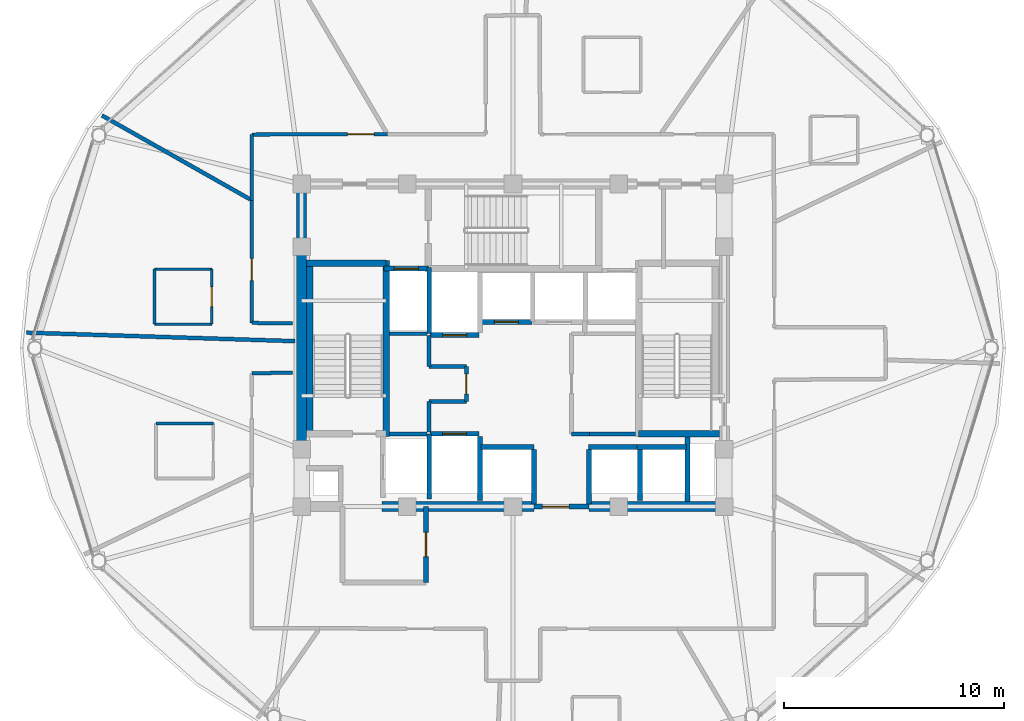
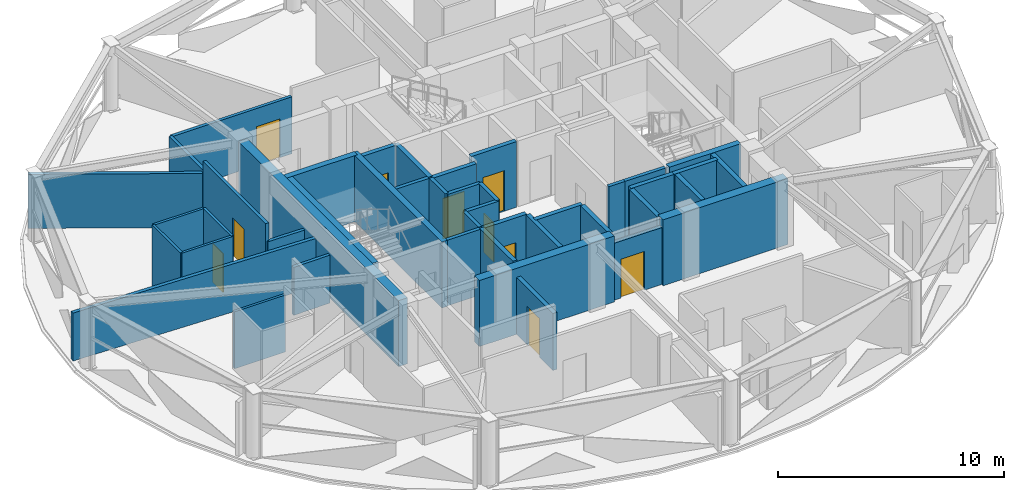
# One storey, part 22 of 28: 44 walls, 10 doors, 10 openings.
"""IFC4 building model written with IfcOpenShell, lengths in metres."""

from ifc_helpers import new_model, si_unit, direction, frame, frame_2d, origin, place, context, subcontext, project, spatial, rectangle, extrude, material, layer, layer_set, type_object, element, fill, save


model = new_model("IFC4")

# Units and contexts
model_context = context("Model", 3, precision=1e-05, world=origin(), true_north=direction((0.0, 1.0)))
body_context = subcontext(model_context, "Body", "Model", "MODEL_VIEW")
ifc_project = project(units=[si_unit("LENGTHUNIT", "METRE"), si_unit("AREAUNIT", "SQUARE_METRE"), si_unit("VOLUMEUNIT", "CUBIC_METRE"), si_unit("PLANEANGLEUNIT", "RADIAN"), si_unit("MASSUNIT", "GRAM", prefix="KILO")], contexts=[model_context])

# Site, building, storey
site_placement = place(None, origin())
site = spatial("IfcSite", under=ifc_project, at=site_placement, CompositionType="ELEMENT")
building_placement = place(site_placement, origin())
building = spatial("IfcBuilding", under=site, at=building_placement, Name="Vantalir Tower", CompositionType="ELEMENT")
storey_placement = place(building_placement, frame((0.0, 0.0, 238.64990234375)))
storey = spatial("IfcBuildingStorey", under=building, at=storey_placement, Name="L60", CompositionType="ELEMENT", Elevation=238.64990234375)

# Walls
ifc_material_1 = material(Name="Moisture-resistant en-suite partition", Category="gypsum")
ifc_layer_1 = layer(ifc_material_1, 0.125)
ifc_layer_set_1 = layer_set([ifc_layer_1], Name="Moisture-resistant en-suite partition")
wall_type_1 = type_object("IfcWallType", Name="WL-BATH-125", PredefinedType="PARTITIONING", material=ifc_layer_set_1)
for number, where, z_axis, x_axis, name in (
    (1, (15.218017578125, 26.0830078125, 0.0), (0.0, 0.0, 1.0), (1.0, 0.0, 0.0), "L60 En-suite 05 South Wall"),
    (2, (15.218017578125, 28.5830078125, 0.0), (0.0, 0.0, 1.0), (1.0, 0.0, 0.0), "L60 En-suite 05 North Wall"),
):
    element("IfcWall", number, at=place(storey_placement, frame(where, z_axis=z_axis, x_axis=x_axis)), inside=storey, type_object=wall_type_1, Name=name, PredefinedType="PARTITIONING", context=body_context, shape_type="SweptSolid", body=[
        extrude(rectangle(XDim=2.60009765625, YDim=0.125, at=frame_2d((1.300048828125, 0.0))), origin(), (0.0, 0.0, 1.0), 3.550048828125),
    ])
wall_1_placement = place(storey_placement, frame((15.218017578125, 26.0830078125, 0.0), z_axis=(0.0, 0.0, 1.0), x_axis=(0.0, 1.0, 0.0)))
element("IfcWall", 3, at=wall_1_placement, inside=storey, type_object=wall_type_1, Name="L60 En-suite 05 West Wall", PredefinedType="PARTITIONING", context=body_context, shape_type="SweptSolid", body=[
    extrude(rectangle(XDim=2.5, YDim=0.125, at=frame_2d((1.25, 0.0))), origin(), (0.0, 0.0, 1.0), 3.550048828125),
])

# Wall, opening, door
wall_2_placement = place(storey_placement, frame((17.818115234375, 26.0830078125, 0.0), z_axis=(0.0, 0.0, 1.0), x_axis=(0.0, 1.0, 0.0)))
wall_2 = element("IfcWall", 4, at=wall_2_placement, inside=storey, type_object=wall_type_1, Name="L60 En-suite 05 East Wall", PredefinedType="PARTITIONING", context=body_context, shape_type="SweptSolid", body=[
    extrude(rectangle(XDim=2.5, YDim=0.125, at=frame_2d((1.25, 0.0))), origin(), (0.0, 0.0, 1.0), 3.550048828125),
])
opening_1_placement = place(wall_2_placement, frame((0.800048828125, 0.0, 0.0)))
opening_1 = element("IfcOpeningElement", 5, at=opening_1_placement, cuts=wall_2, Name="Opening D-WC", PredefinedType="OPENING", context=body_context, shape_type="SweptSolid", body=[
    extrude(rectangle(XDim=0.89990234375, YDim=2.10009765625, at=frame_2d((0.449951171875, 1.050048828125))), frame((0.0, 0.072509765625, 0.0), z_axis=(0.0, -1.0, 0.0), x_axis=(1.0, 0.0, 0.0)), (0.0, 0.0, 1.0), 0.14501953125),
])
ifc_material_2 = material(Name="Moisture-resistant hardwood door", Category="wood")
door_type_1 = type_object("IfcDoorType", Name="DR-ENSUITE-900", OperationType="NOTDEFINED", PredefinedType="DOOR", material=ifc_material_2)
door_1_placement = place(opening_1_placement, origin())
door_1 = element("IfcDoor", 6, at=door_1_placement, inside=storey, type_object=door_type_1, Name="L60 En-suite 05 Door", OperationType="SINGLE_SWING_RIGHT", OverallHeight=2.10009765625, OverallWidth=0.89990234375, PredefinedType="DOOR", context=body_context, shape_type="SweptSolid", body=[
    extrude(rectangle(XDim=0.89990234375, YDim=2.10009765625, at=frame_2d((0.449951171875, 1.050048828125))), frame((0.0, 0.02490234375, 0.0), z_axis=(0.0, -1.0, 0.0), x_axis=(1.0, 0.0, 0.0)), (0.0, 0.0, 1.0), 0.050048828125),
])
fill(opening_1, door_1)

# Walls
wall_3_placement = place(storey_placement, frame((15.2900390625, 21.577880859375, 0.0), z_axis=(0.0, 0.0, 1.0), x_axis=(1.0, 0.0, 0.0)))
element("IfcWall", 7, at=wall_3_placement, inside=storey, type_object=wall_type_1, Name="L60 En-suite 06 North Wall", PredefinedType="PARTITIONING", context=body_context, shape_type="SweptSolid", body=[
    extrude(rectangle(XDim=2.599853515625, YDim=0.125, at=frame_2d((1.2998046875, 0.0))), origin(), (0.0, 0.0, 1.0), 3.0810546875),
])
ifc_material_3 = material(Name="Concrete C50/60", Category="concrete")
ifc_layer_2 = layer(ifc_material_3, 0.449951171875)
ifc_layer_set_2 = layer_set([ifc_layer_2], Name="Concrete C50/60")
wall_type_2 = type_object("IfcWallType", Name="WL-CORE-450", PredefinedType="SHEAR", material=ifc_layer_set_2)
wall_4_placement = place(storey_placement, frame((25.550048828125, 17.800048828125, 0.0), z_axis=(0.0, 0.0, 1.0), x_axis=(1.0, 0.0, 0.0)))
element("IfcWall", 8, at=wall_4_placement, inside=storey, type_object=wall_type_2, Name="L60 Core Shear Wall South-Mid", PredefinedType="SHEAR", context=body_context, shape_type="SweptSolid", body=[
    extrude(rectangle(XDim=6.89990234375, YDim=0.449951171875, at=frame_2d((3.449951171875, 0.0))), origin(), (0.0, 0.0, 1.0), 3.570068359375),
])
wall_5_placement = place(storey_placement, frame((34.949951171875, 17.800048828125, 0.0), z_axis=(0.0, 0.0, 1.0), x_axis=(1.0, 0.0, 0.0)))
element("IfcWall", 9, at=wall_5_placement, inside=storey, type_object=wall_type_2, Name="L60 Core Shear Wall South-East", PredefinedType="SHEAR", context=body_context, shape_type="SweptSolid", body=[
    extrude(rectangle(XDim=6.375, YDim=0.449951171875, at=frame_2d((3.1875, 0.0))), origin(), (0.0, 0.0, 1.0), 3.570068359375),
])
wall_6_placement = place(storey_placement, frame((21.89990234375, 18.02490234375, 0.0), z_axis=(0.0, 0.0, 1.0), x_axis=(0.0, 1.0, 0.0)))
element("IfcWall", 10, at=wall_6_placement, inside=storey, type_object=wall_type_2, Name="L60 Core Shear Wall West", PredefinedType="SHEAR", context=body_context, shape_type="SweptSolid", body=[
    extrude(rectangle(XDim=14.2001953125, YDim=0.449951171875, at=frame_2d((7.10009765625, 0.0))), origin(), (0.0, 0.0, 1.0), 3.570068359375),
])
ifc_material_4 = material(Name="Fire-rated hotel corridor acoustic partition", Category="gypsum")
ifc_layer_3 = layer(ifc_material_4, 0.159912109375)
ifc_layer_set_3 = layer_set([ifc_layer_3], Name="Fire-rated hotel corridor acoustic partition")
wall_type_3 = type_object("IfcWallType", Name="WL-CORR-160", PredefinedType="PARTITIONING", material=ifc_layer_set_3)
wall_7_placement = place(storey_placement, frame((21.4951171875, 26.116943359375, 0.0), z_axis=(0.0, 0.0, 1.0), x_axis=(-0.999908537082, 0.013524698532, 0.0)))
element("IfcWall", 11, at=wall_7_placement, inside=storey, type_object=wall_type_3, Name="L60 Corridor Partition 01", PredefinedType="PARTITIONING", context=body_context, shape_type="SweptSolid", body=[
    extrude(rectangle(XDim=1.859375, YDim=0.159912109375, at=frame_2d((0.9296875, 0.0))), origin(), (0.0, 0.0, 1.0), 2.59521484375),
])

# Wall, opening, door
wall_8_placement = place(storey_placement, frame((19.635986328125, 26.14208984375, 0.0), z_axis=(0.0, 0.0, 1.0), x_axis=(0.000920648448, 0.999999576203, 0.0)))
wall_8 = element("IfcWall", 12, at=wall_8_placement, inside=storey, type_object=wall_type_3, Name="L60 Corridor Partition 02", PredefinedType="PARTITIONING", context=body_context, shape_type="SweptSolid", body=[
    extrude(rectangle(XDim=5.56884765625, YDim=0.159912109375, at=frame_2d((2.784423828125, 0.0))), origin(), (0.0, 0.0, 1.0), 3.550048828125),
])
opening_2_placement = place(wall_8_placement, frame((1.91796875, 0.0, 0.0)))
opening_2 = element("IfcOpeningElement", 13, at=opening_2_placement, cuts=wall_8, Name="Opening D-GUEST", PredefinedType="OPENING", context=body_context, shape_type="SweptSolid", body=[
    extrude(rectangle(XDim=1.0, YDim=2.10009765625, at=frame_2d((0.5, 1.050048828125))), frame((0.0, 0.08984375, 0.0), z_axis=(0.0, -1.0, 0.0), x_axis=(1.0, 0.0, 0.0)), (0.0, 0.0, 1.0), 0.179931640625),
])
ifc_material_5 = material(Name="Solid-core teak veneer acoustic fire door", Category="wood")
door_type_2 = type_object("IfcDoorType", Name="DR-GUEST-ENTRY-1000", OperationType="NOTDEFINED", PredefinedType="DOOR", material=ifc_material_5)
door_2_placement = place(opening_2_placement, origin())
door_2 = element("IfcDoor", 14, at=door_2_placement, inside=storey, type_object=door_type_2, Name="L60 Twin Queen Hotel Room 05 Door", OperationType="SINGLE_SWING_LEFT", OverallHeight=2.10009765625, OverallWidth=1.0, PredefinedType="DOOR", context=body_context, shape_type="SweptSolid", body=[
    extrude(rectangle(XDim=1.0, YDim=2.10009765625, at=frame_2d((0.5, 1.050048828125))), frame((0.0, 0.02490234375, 0.0), z_axis=(0.0, -1.0, 0.0), x_axis=(1.0, 0.0, 0.0)), (0.0, 0.0, 1.0), 0.050048828125),
])
fill(opening_2, door_2)

# Wall
wall_9_placement = place(storey_placement, frame((19.64111328125, 31.7109375, 0.0), z_axis=(0.0, 0.0, 1.0), x_axis=(0.000980151453, 0.999999519651, 0.0)))
element("IfcWall", 15, at=wall_9_placement, inside=storey, type_object=wall_type_3, Name="L60 Corridor Partition 03", PredefinedType="PARTITIONING", context=body_context, shape_type="SweptSolid", body=[
    extrude(rectangle(XDim=2.989013671875, YDim=0.159912109375, at=frame_2d((1.49462890625, 0.0))), origin(), (0.0, 0.0, 1.0), 3.0810546875),
])

# Wall, opening, door
wall_10_placement = place(storey_placement, frame((19.64404296875, 34.699951171875, 0.0), z_axis=(0.0, 0.0, 1.0), x_axis=(0.999998923057, 0.001467611763, 0.0)))
wall_10 = element("IfcWall", 16, at=wall_10_placement, inside=storey, type_object=wall_type_3, Name="L60 Corridor Partition 04", PredefinedType="PARTITIONING", context=body_context, shape_type="SweptSolid", body=[
    extrude(rectangle(XDim=6.155029296875, YDim=0.159912109375, at=frame_2d((3.07763671875, 0.0))), origin(), (0.0, 0.0, 1.0), 3.0810546875),
])
opening_3_placement = place(wall_10_placement, frame((4.345947265625, 0.0, 0.0)))
opening_3 = element("IfcOpeningElement", 17, at=opening_3_placement, cuts=wall_10, Name="Opening D-STE", PredefinedType="OPENING", context=body_context, shape_type="SweptSolid", body=[
    extrude(rectangle(XDim=1.199951171875, YDim=2.10009765625, at=frame_2d((0.60009765625, 1.050048828125))), frame((0.0, 0.08984375, 0.0), z_axis=(0.0, -1.0, 0.0), x_axis=(1.0, 0.0, 0.0)), (0.0, 0.0, 1.0), 0.179931640625),
])
ifc_material_6 = material(Name="Solid-core teak veneer suite entrance door", Category="wood")
door_type_3 = type_object("IfcDoorType", Name="DR-SUITE-ENTRY-1200", OperationType="NOTDEFINED", PredefinedType="DOOR", material=ifc_material_6)
door_3_placement = place(opening_3_placement, origin())
door_3 = element("IfcDoor", 18, at=door_3_placement, inside=storey, type_object=door_type_3, Name="L60 Executive Sky Boardroom 04 Door", OperationType="SINGLE_SWING_RIGHT", OverallHeight=2.10009765625, OverallWidth=1.199951171875, PredefinedType="DOOR", context=body_context, shape_type="SweptSolid", body=[
    extrude(rectangle(XDim=1.199951171875, YDim=2.10009765625, at=frame_2d((0.60009765625, 1.050048828125))), frame((0.0, 0.02490234375, 0.0), z_axis=(0.0, -1.0, 0.0), x_axis=(1.0, 0.0, 0.0)), (0.0, 0.0, 1.0), 0.050048828125),
])
fill(opening_3, door_3)

# Walls
wall_11_placement = place(storey_placement, frame((19.635009765625, 23.85400390625, 0.0), z_axis=(0.0, 0.0, 1.0), x_axis=(0.999886107392, 0.015092125259, 0.0)))
element("IfcWall", 19, at=wall_11_placement, inside=storey, type_object=wall_type_3, Name="L60 Corridor Partition 30", PredefinedType="PARTITIONING", context=body_context, shape_type="SweptSolid", body=[
    extrude(rectangle(XDim=1.8603515625, YDim=0.159912109375, at=frame_2d((0.93017578125, 0.0))), origin(), (0.0, 0.0, 1.0), 2.59521484375),
])
ifc_material_7 = material(Name="Concrete blockwork with fireboard lining", Category="masonry")
ifc_layer_4 = layer(ifc_material_7, 0.219970703125)
ifc_layer_set_4 = layer_set([ifc_layer_4], Name="Concrete blockwork with fireboard lining")
wall_type_4 = type_object("IfcWallType", Name="WL-FFL-220", PredefinedType="PARTITIONING", material=ifc_layer_set_4)
wall_12_placement = place(storey_placement, frame((30.0, 18.080078125, 0.0), z_axis=(0.0, 0.0, 1.0), x_axis=(0.0, 1.0, 0.0)))
element("IfcWall", 20, at=wall_12_placement, inside=storey, type_object=wall_type_4, Name="L60 Service Lift SV1 East Shaft Wall", PredefinedType="PARTITIONING", context=body_context, shape_type="SweptSolid", body=[
    extrude(rectangle(XDim=2.89990234375, YDim=0.219970703125, at=frame_2d((1.449951171875, 0.0))), origin(), (0.0, 0.0, 1.0), 3.545166015625),
])
for number, where, z_axis, x_axis, name in (
    (21, (32.449951171875, 17.919921875, 0.0), (0.0, 0.0, 1.0), (0.0, 1.0, 0.0), "L60 Shuttle Lift PL-X1 East Shaft Cheek"),
    (22, (34.949951171875, 17.919921875, 0.0), (0.0, 0.0, 1.0), (0.0, 1.0, 0.0), "L60 Shuttle Lift PL-X3 West Shaft Cheek"),
):
    element("IfcWall", number, at=place(storey_placement, frame(where, z_axis=z_axis, x_axis=x_axis)), inside=storey, type_object=wall_type_4, Name=name, PredefinedType="PARTITIONING", context=body_context, shape_type="SweptSolid", body=[
        extrude(rectangle(XDim=2.469970703125, YDim=0.219970703125, at=frame_2d((1.23486328125, 0.0))), origin(), (0.0, 0.0, 1.0), 3.545166015625),
    ])
wall_13_placement = place(storey_placement, frame((37.27490234375, 18.080078125, 0.0), z_axis=(0.0, 0.0, 1.0), x_axis=(0.0, 1.0, 0.0)))
element("IfcWall", 23, at=wall_13_placement, inside=storey, type_object=wall_type_4, Name="L60 Shuttle Lift PL-X2/X3 Shaft Divider", PredefinedType="PARTITIONING", context=body_context, shape_type="SweptSolid", body=[
    extrude(rectangle(XDim=2.309814453125, YDim=0.219970703125, at=frame_2d((1.15478515625, 0.0))), origin(), (0.0, 0.0, 1.0), 3.545166015625),
])

# Wall, opening, door
wall_14_placement = place(storey_placement, frame((32.449951171875, 17.800048828125, 0.0), z_axis=(0.0, 0.0, 1.0), x_axis=(1.0, 0.0, 0.0)))
wall_14 = element("IfcWall", 24, at=wall_14_placement, inside=storey, type_object=wall_type_4, Name="L60 Passenger Lift Lobby South Wall", PredefinedType="PARTITIONING", context=body_context, shape_type="SweptSolid", body=[
    extrude(rectangle(XDim=2.5, YDim=0.219970703125, at=frame_2d((1.25, 0.0))), origin(), (0.0, 0.0, 1.0), 3.0810546875),
])
opening_4_placement = place(wall_14_placement, frame((0.39990234375, 0.0, 0.0)))
opening_4 = element("IfcOpeningElement", 25, at=opening_4_placement, cuts=wall_14, Name="Opening D-STE", PredefinedType="OPENING", context=body_context, shape_type="SweptSolid", body=[
    extrude(rectangle(XDim=1.199951171875, YDim=2.10009765625, at=frame_2d((0.60009765625, 1.050048828125))), frame((0.0, 0.119873046875, 0.0), z_axis=(0.0, -1.0, 0.0), x_axis=(1.0, 0.0, 0.0)), (0.0, 0.0, 1.0), 0.239990234375),
])
door_4_placement = place(opening_4_placement, origin())
door_4 = element("IfcDoor", 26, at=door_4_placement, inside=storey, type_object=door_type_3, Name="L60 Passenger Lift Lobby Concourse Door", OperationType="SINGLE_SWING_LEFT", OverallHeight=2.10009765625, OverallWidth=1.199951171875, PredefinedType="DOOR", context=body_context, shape_type="SweptSolid", body=[
    extrude(rectangle(XDim=1.199951171875, YDim=2.10009765625, at=frame_2d((0.60009765625, 1.050048828125))), frame((0.0, 0.02490234375, 0.0), z_axis=(0.0, -1.0, 0.0), x_axis=(1.0, 0.0, 0.0)), (0.0, 0.0, 1.0), 0.050048828125),
])
fill(opening_4, door_4)

# Wall
wall_15_placement = place(storey_placement, frame((39.419921875, 18.02490234375, 0.0), z_axis=(0.0, 0.0, 1.0), x_axis=(0.0, 1.0, 0.0)))
element("IfcWall", 27, at=wall_15_placement, inside=storey, type_object=wall_type_4, Name="L60 East MEP Riser Wall W", PredefinedType="PARTITIONING", context=body_context, shape_type="SweptSolid", body=[
    extrude(rectangle(XDim=2.925048828125, YDim=0.219970703125, at=frame_2d((1.46240234375, 0.0))), origin(), (0.0, 0.0, 1.0), 3.550048828125),
])

# Wall, opening, door
wall_16_placement = place(storey_placement, frame((25.639892578125, 28.610107421875, 0.0), z_axis=(0.0, 0.0, 1.0), x_axis=(1.0, 0.0, 0.0)))
wall_16 = element("IfcWall", 28, at=wall_16_placement, inside=storey, type_object=wall_type_4, Name="L60 Lift FL2 Shaft Front Wall", PredefinedType="PARTITIONING", context=body_context, shape_type="SweptSolid", body=[
    extrude(rectangle(XDim=2.02001953125, YDim=0.219970703125, at=frame_2d((1.010009765625, 0.0))), origin(), (0.0, 0.0, 1.0), 3.550048828125),
])
opening_5_placement = place(wall_16_placement, frame((0.4599609375, 0.0, 0.0)))
opening_5 = element("IfcOpeningElement", 29, at=opening_5_placement, cuts=wall_16, Name="Opening LD-FL2", PredefinedType="OPENING", context=body_context, shape_type="SweptSolid", body=[
    extrude(rectangle(XDim=1.10009765625, YDim=2.199951171875, at=frame_2d((0.550048828125, 1.10009765625))), frame((0.0, 0.119873046875, 0.0), z_axis=(0.0, -1.0, 0.0), x_axis=(1.0, 0.0, 0.0)), (0.0, 0.0, 1.0), 0.239990234375),
])
ifc_material_8 = material(Name="Brushed stainless-steel sliding lift landing door", Category="steel")
door_type_4 = type_object("IfcDoorType", Name="DR-LIFT-LANDING-1100", OperationType="DOUBLE_DOOR_SLIDING", PredefinedType="DOOR", material=ifc_material_8)
door_5_placement = place(opening_5_placement, origin())
door_5 = element("IfcDoor", 30, at=door_5_placement, inside=storey, type_object=door_type_4, Name="L60 Lift Landing Door FL2", OperationType="DOUBLE_DOOR_SLIDING", OverallHeight=2.199951171875, OverallWidth=1.10009765625, PredefinedType="DOOR", context=body_context, shape_type="SweptSolid", body=[
    extrude(rectangle(XDim=1.10009765625, YDim=2.199951171875, at=frame_2d((0.550048828125, 1.10009765625))), frame((0.0, 0.02490234375, 0.0), z_axis=(0.0, -1.0, 0.0), x_axis=(1.0, 0.0, 0.0)), (0.0, 0.0, 1.0), 0.050048828125),
])
fill(opening_5, door_5)

wall_17_placement = place(storey_placement, frame((27.739990234375, 21.110107421875, 0.0), z_axis=(0.0, 0.0, 1.0), x_axis=(1.0, 0.0, 0.0)))
wall_17 = element("IfcWall", 31, at=wall_17_placement, inside=storey, type_object=wall_type_4, Name="L60 Lift SV1 Shaft Front Wall", PredefinedType="PARTITIONING", context=body_context, shape_type="SweptSolid", body=[
    extrude(rectangle(XDim=2.219970703125, YDim=0.219970703125, at=frame_2d((1.10986328125, 0.0))), origin(), (0.0, 0.0, 1.0), 3.550048828125),
])
opening_6_placement = place(wall_17_placement, frame((0.56005859375, 0.0, 0.0)))
opening_6 = element("IfcOpeningElement", 32, at=opening_6_placement, cuts=wall_17, Name="Opening LD-SV1", PredefinedType="OPENING", context=body_context, shape_type="SweptSolid", body=[
    extrude(rectangle(XDim=1.10009765625, YDim=2.199951171875, at=frame_2d((0.550048828125, 1.10009765625))), frame((0.0, 0.119873046875, 0.0), z_axis=(0.0, -1.0, 0.0), x_axis=(1.0, 0.0, 0.0)), (0.0, 0.0, 1.0), 0.239990234375),
])
door_6_placement = place(opening_6_placement, origin())
door_6 = element("IfcDoor", 33, at=door_6_placement, inside=storey, type_object=door_type_4, Name="L60 Lift Landing Door SV1", OperationType="DOUBLE_DOOR_SLIDING", OverallHeight=2.199951171875, OverallWidth=1.10009765625, PredefinedType="DOOR", context=body_context, shape_type="SweptSolid", body=[
    extrude(rectangle(XDim=1.10009765625, YDim=2.199951171875, at=frame_2d((0.550048828125, 1.10009765625))), frame((0.0, 0.02490234375, 0.0), z_axis=(0.0, -1.0, 0.0), x_axis=(1.0, 0.0, 0.0)), (0.0, 0.0, 1.0), 0.050048828125),
])
fill(opening_6, door_6)

wall_18_placement = place(storey_placement, frame((27.739990234375, 25.590087890625, 0.0), z_axis=(0.0, 0.0, 1.0), x_axis=(1.0, 0.0, 0.0)))
wall_18 = element("IfcWall", 34, at=wall_18_placement, inside=storey, type_object=wall_type_4, Name="L60 Lift SV2 Shaft Front Wall", PredefinedType="PARTITIONING", context=body_context, shape_type="SweptSolid", body=[
    extrude(rectangle(XDim=2.219970703125, YDim=0.219970703125, at=frame_2d((1.10986328125, 0.0))), origin(), (0.0, 0.0, 1.0), 3.550048828125),
])
opening_7_placement = place(wall_18_placement, frame((0.56005859375, 0.0, 0.0)))
opening_7 = element("IfcOpeningElement", 35, at=opening_7_placement, cuts=wall_18, Name="Opening LD-SV2", PredefinedType="OPENING", context=body_context, shape_type="SweptSolid", body=[
    extrude(rectangle(XDim=1.10009765625, YDim=2.199951171875, at=frame_2d((0.550048828125, 1.10009765625))), frame((0.0, 0.119873046875, 0.0), z_axis=(0.0, -1.0, 0.0), x_axis=(1.0, 0.0, 0.0)), (0.0, 0.0, 1.0), 0.239990234375),
])
door_7_placement = place(opening_7_placement, frame((1.10009765625, 0.0, 0.0), z_axis=(0.0, 0.0, 1.0), x_axis=(-1.0, 0.0, 0.0)))
door_7 = element("IfcDoor", 36, at=door_7_placement, inside=storey, type_object=door_type_4, Name="L60 Lift Landing Door SV2", OperationType="DOUBLE_DOOR_SLIDING", OverallHeight=2.199951171875, OverallWidth=1.10009765625, PredefinedType="DOOR", context=body_context, shape_type="SweptSolid", body=[
    extrude(rectangle(XDim=1.10009765625, YDim=2.199951171875, at=frame_2d((0.550048828125, 1.10009765625))), frame((0.0, 0.02490234375, 0.0), z_axis=(0.0, -1.0, 0.0), x_axis=(1.0, 0.0, 0.0)), (0.0, 0.0, 1.0), 0.050048828125),
])
fill(opening_7, door_7)

# Walls
wall_19_placement = place(storey_placement, frame((30.0400390625, 20.510009765625, 0.0), z_axis=(0.0, 0.0, 1.0), x_axis=(1.0, 0.0, 0.0)))
element("IfcWall", 37, at=wall_19_placement, inside=storey, type_object=wall_type_4, Name="L60 Lift PL-X1 Shaft Front Wall", PredefinedType="PARTITIONING", context=body_context, shape_type="SweptSolid", body=[
    extrude(rectangle(XDim=2.419921875, YDim=0.219970703125, at=frame_2d((1.2099609375, 0.0))), origin(), (0.0, 0.0, 1.0), 3.550048828125),
])
for number, where, z_axis, x_axis, name in (
    (38, (37.139892578125, 20.510009765625, 0.0), (0.0, 0.0, 1.0), (1.0, 0.0, 0.0), "L60 Lift PL-X2 Shaft Rear Wall"),
    (39, (34.93994140625, 20.510009765625, 0.0), (0.0, 0.0, 1.0), (1.0, 0.0, 0.0), "L60 Lift PL-X3 Shaft Front Wall"),
):
    element("IfcWall", number, at=place(storey_placement, frame(where, z_axis=z_axis, x_axis=x_axis)), inside=storey, type_object=wall_type_4, Name=name, PredefinedType="PARTITIONING", context=body_context, shape_type="SweptSolid", body=[
        extrude(rectangle(XDim=2.239990234375, YDim=0.219970703125, at=frame_2d((1.1201171875, 0.0))), origin(), (0.0, 0.0, 1.0), 3.550048828125),
    ])

# Wall, opening, door
wall_20_placement = place(storey_placement, frame((30.0400390625, 26.18994140625, 0.0), z_axis=(0.0, 0.0, 1.0), x_axis=(1.0, 0.0, 0.0)))
wall_20 = element("IfcWall", 40, at=wall_20_placement, inside=storey, type_object=wall_type_4, Name="L60 Lift PL-H1 Shaft Front Wall", PredefinedType="PARTITIONING", context=body_context, shape_type="SweptSolid", body=[
    extrude(rectangle(XDim=2.320068359375, YDim=0.219970703125, at=frame_2d((1.16015625, 0.0))), origin(), (0.0, 0.0, 1.0), 3.550048828125),
])
opening_8_placement = place(wall_20_placement, frame((0.610107421875, 0.0, 0.0)))
opening_8 = element("IfcOpeningElement", 41, at=opening_8_placement, cuts=wall_20, Name="Opening LD-PL-H1", PredefinedType="OPENING", context=body_context, shape_type="SweptSolid", body=[
    extrude(rectangle(XDim=1.10009765625, YDim=2.199951171875, at=frame_2d((0.550048828125, 1.10009765625))), frame((0.0, 0.119873046875, 0.0), z_axis=(0.0, -1.0, 0.0), x_axis=(1.0, 0.0, 0.0)), (0.0, 0.0, 1.0), 0.239990234375),
])
door_8_placement = place(opening_8_placement, frame((1.10009765625, 0.0, 0.0), z_axis=(0.0, 0.0, 1.0), x_axis=(-1.0, 0.0, 0.0)))
door_8 = element("IfcDoor", 42, at=door_8_placement, inside=storey, type_object=door_type_4, Name="L60 Lift Landing Door PL-H1", OperationType="DOUBLE_DOOR_SLIDING", OverallHeight=2.199951171875, OverallWidth=1.10009765625, PredefinedType="DOOR", context=body_context, shape_type="SweptSolid", body=[
    extrude(rectangle(XDim=1.10009765625, YDim=2.199951171875, at=frame_2d((0.550048828125, 1.10009765625))), frame((0.0, 0.02490234375, 0.0), z_axis=(0.0, -1.0, 0.0), x_axis=(1.0, 0.0, 0.0)), (0.0, 0.0, 1.0), 0.050048828125),
])
fill(opening_8, door_8)

# Walls
wall_21_placement = place(storey_placement, frame((27.699951171875, 18.14990234375, 0.0), z_axis=(0.0, 0.0, 1.0), x_axis=(0.0, 1.0, 0.0)))
element("IfcWall", 43, at=wall_21_placement, inside=storey, type_object=wall_type_4, Name="L60 Fire Lift FL1 Dividing Wall", PredefinedType="PARTITIONING", context=body_context, shape_type="SweptSolid", body=[
    extrude(rectangle(XDim=2.9501953125, YDim=0.219970703125, at=frame_2d((1.47509765625, 0.0))), origin(), (0.0, 0.0, 1.0), 3.550048828125),
])
wall_22_placement = place(storey_placement, frame((27.699951171875, 25.64990234375, 0.0), z_axis=(0.0, 0.0, 1.0), x_axis=(0.0, 1.0, 0.0)))
element("IfcWall", 44, at=wall_22_placement, inside=storey, type_object=wall_type_4, Name="L60 Fire Lift FL2 Dividing Wall", PredefinedType="PARTITIONING", context=body_context, shape_type="SweptSolid", body=[
    extrude(rectangle(XDim=3.0, YDim=0.219970703125, at=frame_2d((1.5, 0.0))), origin(), (0.0, 0.0, 1.0), 3.550048828125),
])

# Wall, opening, door
wall_23_placement = place(storey_placement, frame((27.550048828125, 14.35009765625, 0.0), z_axis=(0.0, 0.0, 1.0), x_axis=(0.0, 1.0, 0.0)))
wall_23 = element("IfcWall", 45, at=wall_23_placement, inside=storey, type_object=wall_type_4, Name="L60 Firefighting Lobby West East Wall", PredefinedType="PARTITIONING", context=body_context, shape_type="SweptSolid", body=[
    extrude(rectangle(XDim=3.449951171875, YDim=0.219970703125, at=frame_2d((1.72509765625, 0.0))), origin(), (0.0, 0.0, 1.0), 3.0810546875),
])
opening_9_placement = place(wall_23_placement, frame((1.175048828125, 0.0, 0.0)))
opening_9 = element("IfcOpeningElement", 46, at=opening_9_placement, cuts=wall_23, Name="Opening D-FFL", PredefinedType="OPENING", context=body_context, shape_type="SweptSolid", body=[
    extrude(rectangle(XDim=1.10009765625, YDim=2.10009765625, at=frame_2d((0.550048828125, 1.050048828125))), frame((0.0, 0.119873046875, 0.0), z_axis=(0.0, -1.0, 0.0), x_axis=(1.0, 0.0, 0.0)), (0.0, 0.0, 1.0), 0.239990234375),
])
ifc_material_9 = material(Name="Fire-rated acoustic steel door", Category="steel")
door_type_5 = type_object("IfcDoorType", Name="DR-FIRE-LOBBY-1100", OperationType="NOTDEFINED", PredefinedType="DOOR", material=ifc_material_9)
door_9_placement = place(opening_9_placement, origin())
door_9 = element("IfcDoor", 47, at=door_9_placement, inside=storey, type_object=door_type_5, Name="L60 Firefighting Lobby West Access Door", OperationType="SINGLE_SWING_LEFT", OverallHeight=2.10009765625, OverallWidth=1.10009765625, PredefinedType="DOOR", context=body_context, shape_type="SweptSolid", body=[
    extrude(rectangle(XDim=1.10009765625, YDim=2.10009765625, at=frame_2d((0.550048828125, 1.050048828125))), frame((0.0, 0.02490234375, 0.0), z_axis=(0.0, -1.0, 0.0), x_axis=(1.0, 0.0, 0.0)), (0.0, 0.0, 1.0), 0.050048828125),
])
fill(opening_9, door_9)

# Walls
ifc_material_10 = material(Name="Twin-stud acoustic fire-rated gypsum partition", Category="gypsum")
ifc_layer_5 = layer(ifc_material_10, 0.179931640625)
ifc_layer_set_5 = layer_set([ifc_layer_5], Name="Twin-stud acoustic fire-rated gypsum partition")
wall_type_5 = type_object("IfcWallType", Name="WL-GUEST-180", PredefinedType="PARTITIONING", material=ifc_layer_set_5)
for number, where, z_axis, x_axis, name in (
    (48, (25.889892578125, 21.10009765625, 0.0), (0.0, 0.0, 1.0), (1.0, 0.0, 0.0), "L60 Freed West Core South Wall"),
    (49, (25.889892578125, 25.64990234375, 0.0), (0.0, 0.0, 1.0), (1.0, 0.0, 0.0), "L60 Freed West Core North Wall"),
):
    element("IfcWall", number, at=place(storey_placement, frame(where, z_axis=z_axis, x_axis=x_axis)), inside=storey, type_object=wall_type_5, Name=name, PredefinedType="PARTITIONING", context=body_context, shape_type="SweptSolid", body=[
        extrude(rectangle(XDim=1.7001953125, YDim=0.179931640625, at=frame_2d((0.85009765625, 0.0))), origin(), (0.0, 0.0, 1.0), 3.550048828125),
    ])
wall_24_placement = place(storey_placement, frame((27.679931640625, 21.18994140625, 0.0), z_axis=(0.0, 0.0, 1.0), x_axis=(0.0, 1.0, 0.0)))
element("IfcWall", 50, at=wall_24_placement, inside=storey, type_object=wall_type_5, Name="L60 West IT Room Lower East Wall", PredefinedType="PARTITIONING", context=body_context, shape_type="SweptSolid", body=[
    extrude(rectangle(XDim=1.39013671875, YDim=0.179931640625, at=frame_2d((0.695068359375, 0.0))), origin(), (0.0, 0.0, 1.0), 3.550048828125),
])
wall_25_placement = place(storey_placement, frame((27.679931640625, 22.580078125, 0.0), z_axis=(0.0, 0.0, 1.0), x_axis=(1.0, 0.0, 0.0)))
element("IfcWall", 51, at=wall_25_placement, inside=storey, type_object=wall_type_5, Name="L60 West IT Room Alcove South Wall", PredefinedType="PARTITIONING", context=body_context, shape_type="SweptSolid", body=[
    extrude(rectangle(XDim=1.699951171875, YDim=0.179931640625, at=frame_2d((0.85009765625, 0.0))), origin(), (0.0, 0.0, 1.0), 3.550048828125),
])

# Wall, opening, door
wall_26_placement = place(storey_placement, frame((29.3798828125, 22.580078125, 0.0), z_axis=(0.0, 0.0, 1.0), x_axis=(0.0, 1.0, 0.0)))
wall_26 = element("IfcWall", 52, at=wall_26_placement, inside=storey, type_object=wall_type_5, Name="L60 West IT Room Alcove East Wall", PredefinedType="PARTITIONING", context=body_context, shape_type="SweptSolid", body=[
    extrude(rectangle(XDim=1.579833984375, YDim=0.179931640625, at=frame_2d((0.7900390625, 0.0))), origin(), (0.0, 0.0, 1.0), 3.550048828125),
])
opening_10_placement = place(wall_26_placement, frame((0.340087890625, 0.0, 0.0)))
opening_10 = element("IfcOpeningElement", 53, at=opening_10_placement, cuts=wall_26, Name="Opening D-CR", PredefinedType="OPENING", context=body_context, shape_type="SweptSolid", body=[
    extrude(rectangle(XDim=0.89990234375, YDim=2.10009765625, at=frame_2d((0.449951171875, 1.050048828125))), frame((0.0, 0.099853515625, 0.0), z_axis=(0.0, -1.0, 0.0), x_axis=(1.0, 0.0, 0.0)), (0.0, 0.0, 1.0), 0.199951171875),
])
ifc_material_11 = material(Name="Fire-rated steel core service door", Category="steel")
door_type_6 = type_object("IfcDoorType", Name="DR-CORE-SERV-900", OperationType="NOTDEFINED", PredefinedType="DOOR", material=ifc_material_11)
door_10_placement = place(opening_10_placement, origin())
door_10 = element("IfcDoor", 54, at=door_10_placement, inside=storey, type_object=door_type_6, Name="L60 Core IT Comms Door", OperationType="SINGLE_SWING_RIGHT", OverallHeight=2.10009765625, OverallWidth=0.89990234375, PredefinedType="DOOR", context=body_context, shape_type="SweptSolid", body=[
    extrude(rectangle(XDim=0.89990234375, YDim=2.10009765625, at=frame_2d((0.449951171875, 1.050048828125))), frame((0.0, 0.02490234375, 0.0), z_axis=(0.0, -1.0, 0.0), x_axis=(1.0, 0.0, 0.0)), (0.0, 0.0, 1.0), 0.050048828125),
])
fill(opening_10, door_10)

# Walls
wall_27_placement = place(storey_placement, frame((27.679931640625, 24.159912109375, 0.0), z_axis=(0.0, 0.0, 1.0), x_axis=(1.0, 0.0, 0.0)))
element("IfcWall", 55, at=wall_27_placement, inside=storey, type_object=wall_type_5, Name="L60 West IT Room Alcove North Wall", PredefinedType="PARTITIONING", context=body_context, shape_type="SweptSolid", body=[
    extrude(rectangle(XDim=1.699951171875, YDim=0.179931640625, at=frame_2d((0.85009765625, 0.0))), origin(), (0.0, 0.0, 1.0), 3.550048828125),
])
wall_28_placement = place(storey_placement, frame((27.679931640625, 24.159912109375, 0.0), z_axis=(0.0, 0.0, 1.0), x_axis=(0.0, 1.0, 0.0)))
element("IfcWall", 56, at=wall_28_placement, inside=storey, type_object=wall_type_5, Name="L60 West IT Room Upper East Wall", PredefinedType="PARTITIONING", context=body_context, shape_type="SweptSolid", body=[
    extrude(rectangle(XDim=1.400146484375, YDim=0.179931640625, at=frame_2d((0.7001953125, 0.0))), origin(), (0.0, 0.0, 1.0), 3.550048828125),
])
wall_29_placement = place(storey_placement, frame((34.97998046875, 21.10009765625, 0.0), z_axis=(0.0, 0.0, 1.0), x_axis=(1.0, 0.0, 0.0)))
element("IfcWall", 57, at=wall_29_placement, inside=storey, type_object=wall_type_5, Name="L60 Freed East Core South Wall", PredefinedType="PARTITIONING", context=body_context, shape_type="SweptSolid", body=[
    extrude(rectangle(XDim=2.080078125, YDim=0.179931640625, at=frame_2d((1.0400390625, 0.0))), origin(), (0.0, 0.0, 1.0), 3.550048828125),
])
wall_30_placement = place(storey_placement, frame((34.159912109375, 21.10009765625, 0.0), z_axis=(0.0, 0.0, 1.0), x_axis=(1.0, 0.0, 0.0)))
element("IfcWall", 58, at=wall_30_placement, inside=storey, type_object=wall_type_5, Name="L60 East IT Room South Return", PredefinedType="PARTITIONING", context=body_context, shape_type="SweptSolid", body=[
    extrude(rectangle(XDim=0.820068359375, YDim=0.179931640625, at=frame_2d((0.41015625, 0.0))), origin(), (0.0, 0.0, 1.0), 3.550048828125),
])
wall_31_placement = place(storey_placement, frame((19.56005859375, 31.757080078125, 0.0), z_axis=(0.0, 0.0, 1.0), x_axis=(-0.870312783113, 0.492499400559, 0.0)))
element("IfcWall", 59, at=wall_31_placement, inside=storey, type_object=wall_type_5, Name="L60 Radial Suite Partition 05", PredefinedType="PARTITIONING", context=body_context, shape_type="SweptSolid", body=[
    extrude(rectangle(XDim=7.731689453125, YDim=0.179931640625, at=frame_2d((3.86572265625, 0.0))), origin(), (0.0, 0.0, 1.0), 2.925048828125),
])
wall_32_placement = place(storey_placement, frame((21.60009765625, 25.31298828125, 0.0), z_axis=(0.0, 0.0, 1.0), x_axis=(-0.999499822814, 0.031624424029, 0.0)))
element("IfcWall", 60, at=wall_32_placement, inside=storey, type_object=wall_type_5, Name="L60 Radial Suite Partition 06", PredefinedType="PARTITIONING", context=body_context, shape_type="SweptSolid", body=[
    extrude(rectangle(XDim=12.205322265625, YDim=0.179931640625, at=frame_2d((6.1025390625, 0.0))), origin(), (0.0, 0.0, 1.0), 2.59521484375),
])
ifc_layer_6 = layer(ifc_material_3, 0.300048828125)
ifc_layer_set_6 = layer_set([ifc_layer_6], Name="Concrete C50/60")
wall_type_6 = type_object("IfcWallType", Name="WL-STAIR-300", PredefinedType="SHEAR", material=ifc_layer_set_6)
wall_33_placement = place(storey_placement, frame((22.125, 28.85009765625, 0.0), z_axis=(0.0, 0.0, 1.0), x_axis=(1.0, 0.0, 0.0)))
element("IfcWall", 61, at=wall_33_placement, inside=storey, type_object=wall_type_6, Name="L60 Stair ST1 North Wall", PredefinedType="SHEAR", context=body_context, shape_type="SweptSolid", body=[
    extrude(rectangle(XDim=3.614990234375, YDim=0.300048828125, at=frame_2d((1.8076171875, 0.0))), origin(), (0.0, 0.0, 1.0), 3.570068359375),
])
wall_34_placement = place(storey_placement, frame((25.739990234375, 20.97998046875, 0.0), z_axis=(0.0, 0.0, 1.0), x_axis=(0.0, 1.0, 0.0)))
element("IfcWall", 62, at=wall_34_placement, inside=storey, type_object=wall_type_6, Name="L60 Stair ST1 East Wall", PredefinedType="SHEAR", context=body_context, shape_type="SweptSolid", body=[
    extrude(rectangle(XDim=7.989990234375, YDim=0.300048828125, at=frame_2d((3.9951171875, 0.0))), origin(), (0.0, 0.0, 1.0), 3.570068359375),
])
wall_35_placement = place(storey_placement, frame((22.260009765625, 21.10009765625, 0.0), z_axis=(0.0, 0.0, 1.0), x_axis=(0.0, 1.0, 0.0)))
element("IfcWall", 63, at=wall_35_placement, inside=storey, type_object=wall_type_6, Name="L60 Stair ST1 West Liner Wall", PredefinedType="SHEAR", context=body_context, shape_type="SweptSolid", body=[
    extrude(rectangle(XDim=7.75, YDim=0.300048828125, at=frame_2d((3.875, 0.0))), origin(), (0.0, 0.0, 1.0), 3.570068359375),
])
wall_36_placement = place(storey_placement, frame((37.2099609375, 21.10009765625, 0.0), z_axis=(0.0, 0.0, 1.0), x_axis=(1.0, 0.0, 0.0)))
element("IfcWall", 64, at=wall_36_placement, inside=storey, type_object=wall_type_6, Name="L60 Stair ST2 South Wall", PredefinedType="SHEAR", context=body_context, shape_type="SweptSolid", body=[
    extrude(rectangle(XDim=3.6650390625, YDim=0.300048828125, at=frame_2d((1.83251953125, 0.0))), origin(), (0.0, 0.0, 1.0), 3.570068359375),
])

save(model, "model.ifc")
